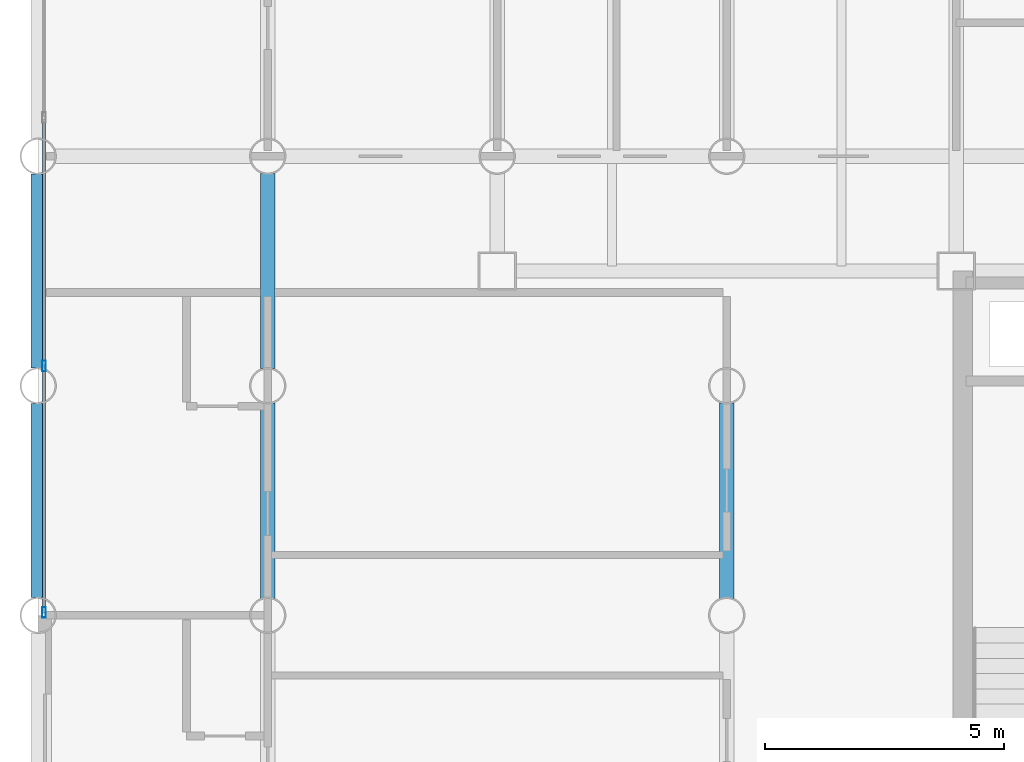
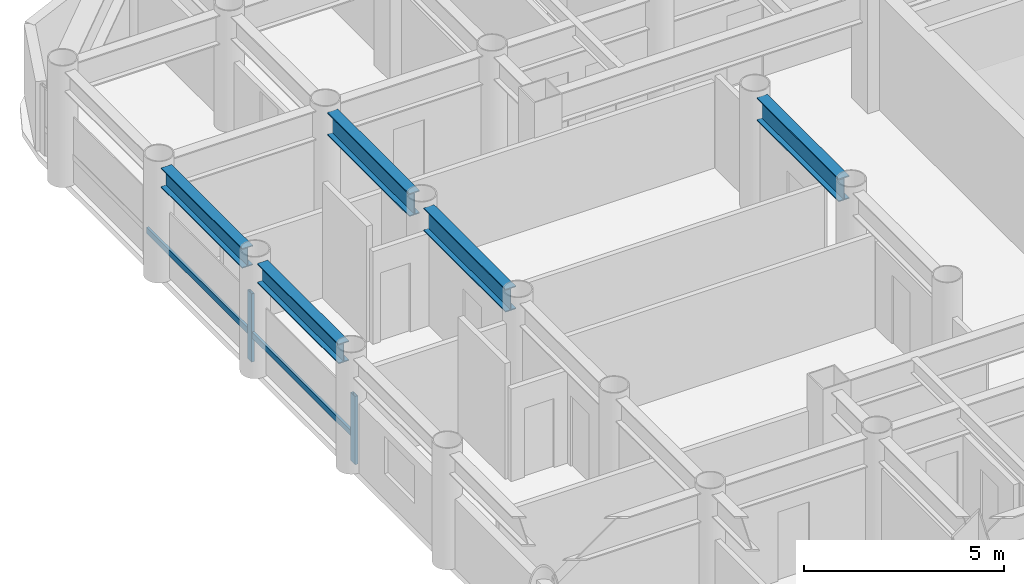
# One storey, part 4 of 21: 5 beams, 4 members, 1 element without a shape of its own.
"""IFC4 building model written with IfcOpenShell, lengths in metres."""

import ifcopenshell
import ifcopenshell.guid

model = None  # the IFC model being written
_history = None  # IfcOwnerHistory: only IFC2X3 demands one
_inside = {}  # id of a spatial element -> (the spatial element, [elements in it])
_under = {}  # id of a project, library or spatial element -> (it, [spatial elements below it])
_declared = {}  # id of a project -> (the project, [libraries it declares])
_typed = {}  # id of a type object -> (the type object, [elements of that type])
_made_of = {}  # id of a material, layer set ... -> (it, [elements and type objects made of it])


def new_model(schema):
    """Start an empty IFC model of exactly this schema.

    Asked for "IFC4X3", IfcOpenShell would pick the latest addendum, in which some entities
    have other attributes; the version numbers below select the first issue.
    IFC2X3 requires an IfcOwnerHistory on every rooted entity: one is made here for all.
    """
    global model, _history
    if schema == "IFC4X3":
        model = ifcopenshell.file(schema_version=(4, 3, 0, 0))
    else:
        model = ifcopenshell.file(schema=schema)
    _inside.clear()
    _under.clear()
    _declared.clear()
    _typed.clear()
    _made_of.clear()
    _history = None
    if model.schema == "IFC2X3":
        org = make("IfcOrganization", Name="unknown")
        user = make(
            "IfcPersonAndOrganization",
            ThePerson=make("IfcPerson", FamilyName="unknown"),
            TheOrganization=org,
        )
        app = make(
            "IfcApplication",
            ApplicationDeveloper=org,
            Version="unknown",
            ApplicationFullName="unknown",
            ApplicationIdentifier="unknown",
        )
        _history = make(
            "IfcOwnerHistory",
            OwningUser=user,
            OwningApplication=app,
            ChangeAction="ADDED",
            CreationDate=0,
        )
    return model


def make(cls, **values):
    """One entity of the class cls with the attributes given. An attribute that is None is left unset."""
    return model.create_entity(
        cls, **{name: value for name, value in values.items() if value is not None}
    )


def rooted(cls, **values):
    """An entity with a GlobalId (a new one), such as an element, a storey or a relation."""
    return make(cls, GlobalId=ifcopenshell.guid.new(), OwnerHistory=_history, **values)


def si_unit(unit_type, name, prefix=None):
    """IfcSIUnit, for example si_unit("LENGTHUNIT", "METRE", prefix="MILLI")."""
    return make("IfcSIUnit", UnitType=unit_type, Prefix=prefix, Name=name)


def assignment(units):
    """IfcUnitAssignment: the units of a project."""
    return None if units is None else make("IfcUnitAssignment", Units=units)


def point(xyz):
    """IfcCartesianPoint."""
    return None if xyz is None else make("IfcCartesianPoint", Coordinates=xyz)


def direction(xyz):
    """IfcDirection."""
    return None if xyz is None else make("IfcDirection", DirectionRatios=xyz)


def frame(location, z_axis=None, x_axis=None):
    """IfcAxis2Placement3D, a coordinate frame: its origin and axes. An axis left out is left unset."""
    return make(
        "IfcAxis2Placement3D",
        Location=point(location),
        Axis=direction(z_axis),
        RefDirection=direction(x_axis),
    )


def frame_2d(location, x_axis=None):
    """IfcAxis2Placement2D, a coordinate frame in the plane: its origin and x axis."""
    return make(
        "IfcAxis2Placement2D", Location=point(location), RefDirection=direction(x_axis)
    )


def origin():
    """The frame at (0, 0, 0) with its axes left unset."""
    return frame((0.0, 0.0, 0.0))


def origin_2d():
    """The frame at (0, 0) in the plane with its x axis left unset."""
    return frame_2d((0.0, 0.0))


def place(relative_to, where):
    """IfcLocalPlacement: puts the frame where relative to a parent placement (None: the world)."""
    return make(
        "IfcLocalPlacement", PlacementRelTo=relative_to, RelativePlacement=where
    )


def context(
    kind, dimensions, precision=None, world=None, true_north=None, identifier=None
):
    """IfcGeometricRepresentationContext, for example the 3D "Model" context."""
    return make(
        "IfcGeometricRepresentationContext",
        ContextIdentifier=identifier,
        ContextType=kind,
        CoordinateSpaceDimension=dimensions,
        Precision=precision,
        WorldCoordinateSystem=world,
        TrueNorth=true_north,
    )


def subcontext(parent, identifier, kind, view, scale=None):
    """IfcGeometricRepresentationSubContext, for example "Body" below "Model"."""
    return make(
        "IfcGeometricRepresentationSubContext",
        ContextIdentifier=identifier,
        ContextType=kind,
        ParentContext=parent,
        TargetScale=scale,
        TargetView=view,
    )


def project(units=None, contexts=None):
    """IfcProject with its units and contexts."""
    return rooted(
        "IfcProject",
        Name="project",
        RepresentationContexts=contexts,
        UnitsInContext=assignment(units),
    )


def spatial(cls, under=None, at=None, **own):
    """A site, building, storey or space (cls), placed at a placement, below another one or the project."""
    s = rooted(cls, ObjectPlacement=at, **own)
    if under is not None:
        _under.setdefault(under.id(), (under, []))[1].append(s)
    return s


def profile(cls, at=None, kind="AREA", **sizes):
    """A parametric profile (cls). Its sizes go by their IFC names, for example OverallWidth=200.0."""
    return make(cls, ProfileType=kind, Position=at, **sizes)


def hollow_rectangle(**sizes):
    """IfcRectangleHollowProfileDef."""
    return profile("IfcRectangleHollowProfileDef", **sizes)


def i_section(**sizes):
    """IfcIShapeProfileDef."""
    return profile("IfcIShapeProfileDef", **sizes)


def extrude(swept, where, along, depth):
    """IfcExtrudedAreaSolid: the profile swept, set in the frame where, extruded along a direction by depth."""
    return make(
        "IfcExtrudedAreaSolid",
        SweptArea=swept,
        Position=where,
        ExtrudedDirection=direction(along),
        Depth=depth,
    )


def shape(context_of_items, identifier, shape_type, items):
    """IfcShapeRepresentation: the items that make up one representation, for example the "Body"."""
    return make(
        "IfcShapeRepresentation",
        ContextOfItems=context_of_items,
        RepresentationIdentifier=identifier,
        RepresentationType=shape_type,
        Items=items,
    )


def material(Name=None, Category=None):
    """IfcMaterial."""
    return make("IfcMaterial", Name=Name, Category=Category)


def layer(
    of_material, thickness, ventilated=None, Name=None, Category=None, Priority=None
):
    """IfcMaterialLayer: one layer of a wall or slab, of a material (None: an air gap)."""
    return make(
        "IfcMaterialLayer",
        Material=of_material,
        LayerThickness=thickness,
        IsVentilated=ventilated,
        Name=Name,
        Category=Category,
        Priority=Priority,
    )


def layer_set(layers, Name=None):
    """IfcMaterialLayerSet."""
    return make("IfcMaterialLayerSet", MaterialLayers=layers, LayerSetName=Name)


def material_profile(
    of_material, cross_section, Name=None, Category=None, Priority=None
):
    """IfcMaterialProfile: a cross section and its material."""
    return make(
        "IfcMaterialProfile",
        Name=Name,
        Material=of_material,
        Profile=cross_section,
        Priority=Priority,
        Category=Category,
    )


def profile_set(profiles, Name=None, composite=None):
    """IfcMaterialProfileSet."""
    return make(
        "IfcMaterialProfileSet",
        Name=Name,
        MaterialProfiles=profiles,
        CompositeProfile=composite,
    )


def made_of(thing, what):
    """Note that an element or type object is made of a material, layer set ...; save() writes the relation."""
    if what is not None:
        _made_of.setdefault(what.id(), (what, []))[1].append(thing)
    return thing


def type_object(cls, material=None, **own):
    """A type object (cls), such as IfcWallType, which elements share."""
    return made_of(rooted(cls, **own), material)


def element(
    cls,
    number,
    at=None,
    inside=None,
    cuts=None,
    type_object=None,
    material=None,
    context=None,
    identifier="Body",
    shape_type=None,
    held_by="IfcProductDefinitionShape",
    body=None,
    shapes=None,
    **own,
):
    """One element of the class cls, such as IfcWall. Its Tag is "e" and its number.

    at: its placement. inside: the storey or other place that contains it. cuts: it is an
    opening in that element (IfcRelVoidsElement). A single representation is given by context,
    identifier, shape_type and body (its items); several are given by shapes. held_by: the class
    of the entity that holds the representations. save() writes the other relations.
    """
    e = rooted(cls, Tag="e%d" % number, ObjectPlacement=at, **own)
    if body is not None:
        shapes = [shape(context, identifier, shape_type, body)]
    if shapes is not None:
        e.Representation = make(held_by, Representations=shapes)
    if inside is not None:
        _inside.setdefault(inside.id(), (inside, []))[1].append(e)
    if cuts is not None:
        rooted(
            "IfcRelVoidsElement", RelatingBuildingElement=cuts, RelatedOpeningElement=e
        )
    if type_object is not None:
        _typed.setdefault(type_object.id(), (type_object, []))[1].append(e)
    return made_of(e, material)


def aggregate(whole, parts):
    """IfcRelAggregates: a whole, such as a stair, and the parts it consists of."""
    return rooted("IfcRelAggregates", RelatingObject=whole, RelatedObjects=parts)


def save(model, path):
    """Write the relations noted so far, then the file.

    IfcRelAggregates (storeys below a building ...), IfcRelContainedInSpatialStructure (elements
    in a storey), IfcRelDefinesByType, IfcRelAssociatesMaterial and IfcRelDeclares: one each for
    every whole, place, type object, material and project.
    """
    for whole, parts in _under.values():
        aggregate(whole, parts)
    for where, things in _inside.values():
        rooted(
            "IfcRelContainedInSpatialStructure",
            RelatedElements=things,
            RelatingStructure=where,
        )
    for kind, things in _typed.values():
        rooted("IfcRelDefinesByType", RelatedObjects=things, RelatingType=kind)
    for what, things in _made_of.values():
        rooted("IfcRelAssociatesMaterial", RelatedObjects=things, RelatingMaterial=what)
    for by, libraries in _declared.values():
        rooted("IfcRelDeclares", RelatingContext=by, RelatedDefinitions=libraries)
    model.write(path)


model = new_model("IFC4")

# Units and contexts
model_context = context("Model", 3, precision=1e-05, world=origin(), true_north=direction((0.0, 1.0)))
body_context = subcontext(model_context, "Body", "Model", "MODEL_VIEW")
ifc_project = project(units=[si_unit("LENGTHUNIT", "METRE"), si_unit("AREAUNIT", "SQUARE_METRE"), si_unit("VOLUMEUNIT", "CUBIC_METRE"), si_unit("PLANEANGLEUNIT", "RADIAN"), si_unit("MASSUNIT", "GRAM", prefix="KILO")], contexts=[model_context])

# Site, building, storey
site_placement = place(None, origin())
site = spatial("IfcSite", under=ifc_project, at=site_placement, CompositionType="ELEMENT")
building_placement = place(site_placement, origin())
building = spatial("IfcBuilding", under=site, at=building_placement, Name="Kallvorn Hotel Tower", CompositionType="ELEMENT")
storey_placement = place(building_placement, frame((0.0, 0.0, 52.199951171875)))
storey = spatial("IfcBuildingStorey", under=building, at=storey_placement, Name="L11", CompositionType="ELEMENT", Elevation=52.199951171875)

# Beams
ifc_material_1 = material(Name="Structural steel S355JR", Category="steel")
ifc_material_profile_1 = material_profile(ifc_material_1, i_section(OverallWidth=0.300048828125, OverallDepth=0.60009765625, WebThickness=0.015380859375, FlangeThickness=0.030029296875, at=origin_2d()), Name="HE 600 B")
ifc_profile_set_1 = profile_set([ifc_material_profile_1], Name="Structural steel S355JR")
beam_type_1 = type_object("IfcBeamType", Name="BM_HE600B", PredefinedType="SPANDREL", material=ifc_profile_set_1)
beam_1_placement = place(storey_placement, frame((-33.60009765625, 0.37109375, 3.219970703125), z_axis=(0.0, 1.0, 0.0), x_axis=(-1.0, 0.0, 0.0)))
element("IfcBeam", 1, at=beam_1_placement, inside=storey, type_object=beam_type_1, Name="L12 Perimeter Spandrel 178", PredefinedType="SPANDREL", context=body_context, shape_type="SweptSolid", body=[
    extrude(i_section(OverallWidth=0.300048828125, OverallDepth=0.60009765625, WebThickness=0.015380859375, FlangeThickness=0.030029296875, at=origin_2d()), origin(), (0.0, 0.0, 1.0), 4.057861328125),
])
beam_2_placement = place(storey_placement, frame((-33.60009765625, 5.1708984375, 3.219970703125), z_axis=(0.0, 1.0, 0.0), x_axis=(-1.0, 0.0, 0.0)))
element("IfcBeam", 2, at=beam_2_placement, inside=storey, type_object=beam_type_1, Name="L12 Perimeter Spandrel 179", PredefinedType="SPANDREL", context=body_context, shape_type="SweptSolid", body=[
    extrude(i_section(OverallWidth=0.300048828125, OverallDepth=0.60009765625, WebThickness=0.015380859375, FlangeThickness=0.030029296875, at=origin_2d()), origin(), (0.0, 0.0, 1.0), 4.05810546875),
])
ifc_material_2 = material(Name="Structural steel S355JR", Category="steel")
ifc_material_profile_2 = material_profile(ifc_material_2, i_section(OverallWidth=0.300048828125, OverallDepth=0.699951171875, WebThickness=0.01708984375, FlangeThickness=0.031982421875, at=origin_2d()), Name="HE 700 B")
ifc_profile_set_2 = profile_set([ifc_material_profile_2], Name="Structural steel S355JR")
beam_type_2 = type_object("IfcBeamType", Name="BM_HE700B", PredefinedType="BEAM", material=ifc_profile_set_2)
beam_3_placement = place(storey_placement, frame((-28.800048828125, 0.35595703125, 3.170166015625), z_axis=(0.0, 1.0, 0.0), x_axis=(-1.0, 0.0, 0.0)))
element("IfcBeam", 3, at=beam_3_placement, inside=storey, type_object=beam_type_2, Name="L12 Primary Y-Girder 78", PredefinedType="BEAM", context=body_context, shape_type="SweptSolid", body=[
    extrude(i_section(OverallWidth=0.300048828125, OverallDepth=0.699951171875, WebThickness=0.01708984375, FlangeThickness=0.031982421875, at=origin_2d()), origin(), (0.0, 0.0, 1.0), 4.088134765625),
])
beam_4_placement = place(storey_placement, frame((-28.800048828125, 5.156005859375, 3.170166015625), z_axis=(0.0, 1.0, 0.0), x_axis=(-1.0, 0.0, 0.0)))
element("IfcBeam", 4, at=beam_4_placement, inside=storey, type_object=beam_type_2, Name="L12 Primary Y-Girder 79", PredefinedType="BEAM", context=body_context, shape_type="SweptSolid", body=[
    extrude(i_section(OverallWidth=0.300048828125, OverallDepth=0.699951171875, WebThickness=0.01708984375, FlangeThickness=0.031982421875, at=origin_2d()), origin(), (0.0, 0.0, 1.0), 4.087890625),
])
beam_5_placement = place(storey_placement, frame((-19.199951171875, 0.35595703125, 3.170166015625), z_axis=(0.0, 1.0, 0.0), x_axis=(-1.0, 0.0, 0.0)))
element("IfcBeam", 5, at=beam_5_placement, inside=storey, type_object=beam_type_2, Name="L12 Primary Y-Girder 94", PredefinedType="BEAM", context=body_context, shape_type="SweptSolid", body=[
    extrude(i_section(OverallWidth=0.300048828125, OverallDepth=0.699951171875, WebThickness=0.01708984375, FlangeThickness=0.031982421875, at=origin_2d()), origin(), (0.0, 0.0, 1.0), 4.088134765625),
])

# Curtain wall, members
ifc_material_3 = material(Name="Thermally broken black-anodised aluminium AA 6063-T6", Category="aluminium")
ifc_layer = layer(ifc_material_3, 0.199951171875)
ifc_layer_set = layer_set([ifc_layer], Name="CW_SYS_3_HOTEL_LOW")
curtain_wall_type = type_object("IfcCurtainWallType", Name="CW_SYS_3_HOTEL_LOW", PredefinedType="USERDEFINED", material=ifc_layer_set)
curtain_wall_placement = place(storey_placement, origin())
curtain_wall = element("IfcCurtainWall", 6, at=curtain_wall_placement, inside=storey, type_object=curtain_wall_type, Name="L11 Dark-Glass Curtain Wall CW-L11-WN", ObjectType="UNITISED CURTAIN WALL", PredefinedType="USERDEFINED")
ifc_material_4 = material(Name="Thermally broken black-anodised aluminium AA 6063-T6", Category="aluminium")
ifc_material_profile_3 = material_profile(ifc_material_4, hollow_rectangle(XDim=0.080078125, YDim=0.219970703125, WallThickness=0.0048828125, at=origin_2d()), Name="MUL 220x80")
ifc_profile_set_3 = profile_set([ifc_material_profile_3], Name="Thermally broken black-anodised aluminium AA 6063-T6")
member_type_1 = type_object("IfcMemberType", Name="CW_MULLION_220x80", PredefinedType="MULLION", material=ifc_profile_set_3)
member_1_placement = place(storey_placement, frame((-33.47998046875, 0.06005859375, 0.02001953125), z_axis=(0.0, 0.0, 1.0), x_axis=(1.0, 0.0, 0.0)))
member_1 = element("IfcMember", 7, at=member_1_placement, type_object=member_type_1, Name="CW-L11-WN Mullion 00", PredefinedType="MULLION", context=body_context, shape_type="SweptSolid", body=[
    extrude(hollow_rectangle(XDim=0.080078125, YDim=0.219970703125, WallThickness=0.0048828125, at=origin_2d()), origin(), (0.0, 0.0, 1.0), 2.080078125),
])
member_2_placement = place(storey_placement, frame((-33.47998046875, 5.21337890625, 0.02001953125), z_axis=(0.0, 0.0, 1.0), x_axis=(1.0, 0.0, 0.0)))
member_2 = element("IfcMember", 8, at=member_2_placement, type_object=member_type_1, Name="CW-L11-WN Mullion 01", PredefinedType="MULLION", context=body_context, shape_type="SweptSolid", body=[
    extrude(hollow_rectangle(XDim=0.080078125, YDim=0.219970703125, WallThickness=0.0048828125, at=origin_2d()), origin(), (0.0, 0.0, 1.0), 2.080078125),
])
ifc_material_5 = material(Name="Thermally broken black-anodised aluminium AA 6063-T6", Category="aluminium")
ifc_material_profile_4 = material_profile(ifc_material_5, hollow_rectangle(XDim=0.070068359375, YDim=0.179931640625, WallThickness=0.00390625, at=origin_2d()), Name="TRN 180x70")
ifc_profile_set_4 = profile_set([ifc_material_profile_4], Name="Thermally broken black-anodised aluminium AA 6063-T6")
member_type_2 = type_object("IfcMemberType", Name="CW_TRANSOM_180x70", PredefinedType="USERDEFINED", material=ifc_profile_set_4)
member_3_placement = place(storey_placement, frame((-33.47998046875, 0.06005859375, 0.85009765625), z_axis=(0.0, 1.0, 0.0), x_axis=(-1.0, 0.0, 0.0)))
member_3 = element("IfcMember", 9, at=member_3_placement, type_object=member_type_2, Name="CW-L11-WN Transom 00M", ObjectType="TRANSOM", PredefinedType="USERDEFINED", context=body_context, shape_type="SweptSolid", body=[
    extrude(hollow_rectangle(XDim=0.070068359375, YDim=0.179931640625, WallThickness=0.00390625, at=origin_2d()), origin(), (0.0, 0.0, 1.0), 5.11328125),
])
member_4_placement = place(storey_placement, frame((-33.47998046875, 5.25341796875, 0.85009765625), z_axis=(0.0, 1.0, 0.0), x_axis=(-1.0, 0.0, 0.0)))
member_4 = element("IfcMember", 10, at=member_4_placement, type_object=member_type_2, Name="CW-L11-WN Transom 01M", ObjectType="TRANSOM", PredefinedType="USERDEFINED", context=body_context, shape_type="SweptSolid", body=[
    extrude(hollow_rectangle(XDim=0.070068359375, YDim=0.179931640625, WallThickness=0.00390625, at=origin_2d()), origin(), (0.0, 0.0, 1.0), 5.11328125),
])
aggregate(curtain_wall, [member_1, member_2, member_3, member_4])

save(model, "model.ifc")
